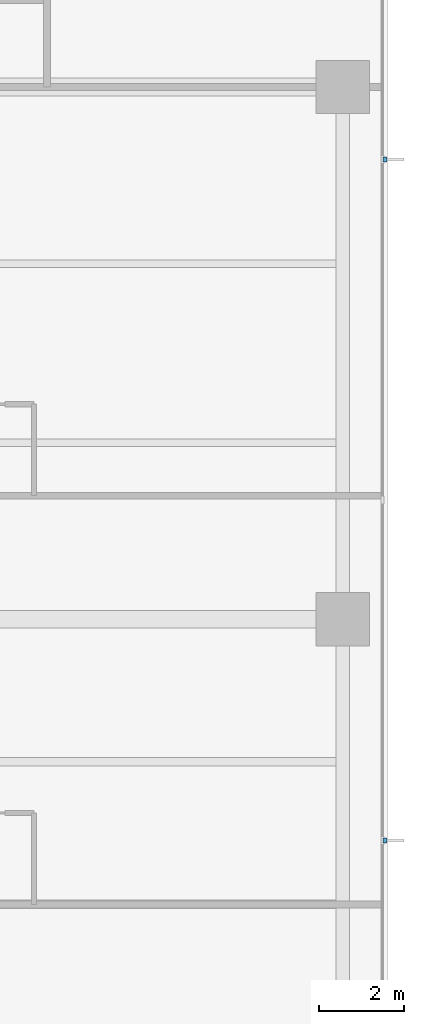
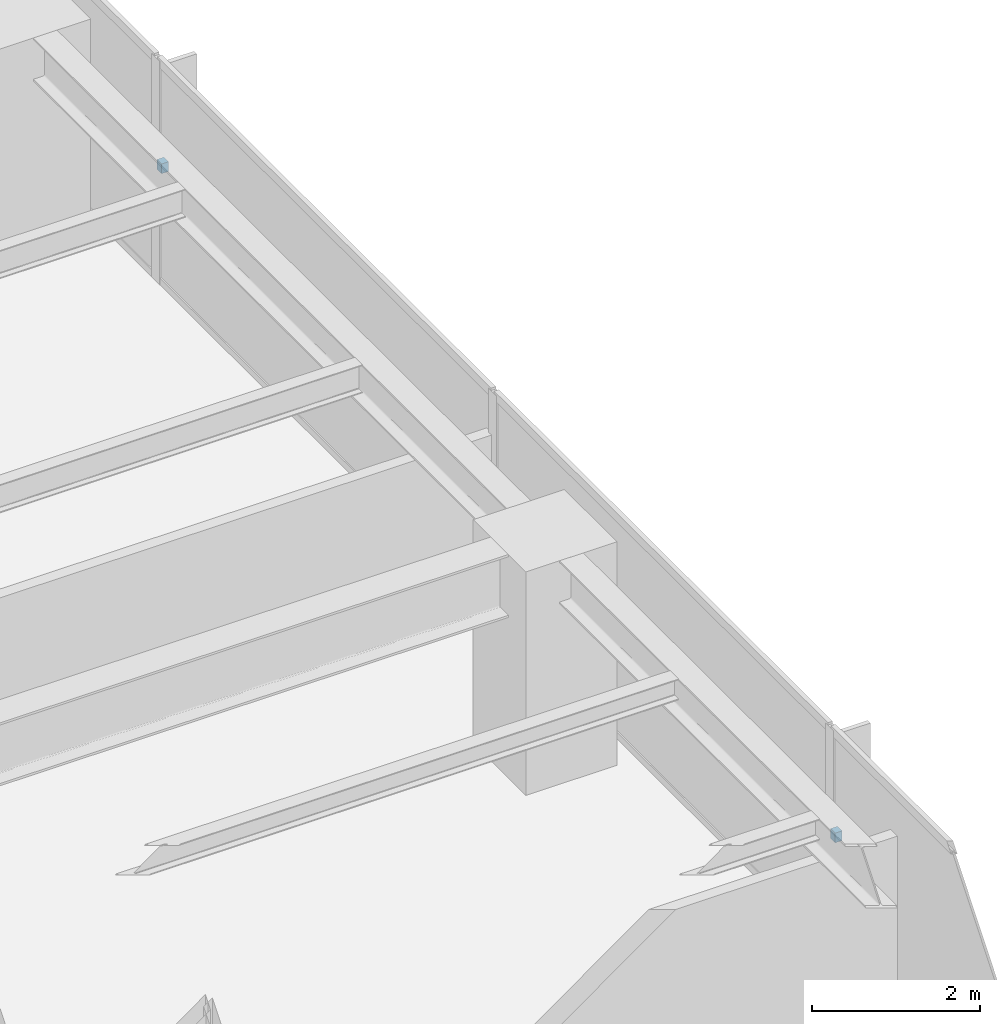
# One storey, part 14 of 17: 2 discrete accessories.
"""IFC4 building model written with IfcOpenShell, lengths in metres."""

from ifc_helpers import new_model, si_unit, direction, frame, origin, place, context, subcontext, project, spatial, polyline, outline, extrude, material, type_object, element, save


model = new_model("IFC4")

# Units and contexts
model_context = context("Model", 3, precision=1e-05, world=origin(), true_north=direction((0.0, 1.0)))
body_context = subcontext(model_context, "Body", "Model", "MODEL_VIEW")
ifc_project = project(units=[si_unit("LENGTHUNIT", "METRE"), si_unit("AREAUNIT", "SQUARE_METRE"), si_unit("VOLUMEUNIT", "CUBIC_METRE"), si_unit("PLANEANGLEUNIT", "RADIAN"), si_unit("MASSUNIT", "GRAM", prefix="KILO")], contexts=[model_context])

# Site, building, storey
site_placement = place(None, origin())
site = spatial("IfcSite", under=ifc_project, at=site_placement, CompositionType="ELEMENT")
building_placement = place(site_placement, origin())
building = spatial("IfcBuilding", under=site, at=building_placement, Name="Qalmaran Belvedere Hotel", CompositionType="ELEMENT")
storey_placement = place(building_placement, frame((0.0, 0.0, 98.699951171875)))
storey = spatial("IfcBuildingStorey", under=building, at=storey_placement, Name="L24", CompositionType="ELEMENT", Elevation=98.699951171875)

# Discrete accessories
ifc_material = material(Name="Stainless Steel 1.4401", Category="steel")
discrete_accessory_type = type_object("IfcDiscreteAccessoryType", Name="BRK-FIN-SS316", PredefinedType="BRACKET", material=ifc_material)
discrete_accessory_1_placement = place(storey_placement, frame((0.0, 0.0, 1.570068359375)))
element("IfcDiscreteAccessory", 1, at=discrete_accessory_1_placement, inside=storey, type_object=discrete_accessory_type, Name="L24 Fin Bracket 1", PredefinedType="BRACKET", context=body_context, shape_type="SweptSolid", body=[
    extrude(outline(polyline([(58.89501953125, 15.2451171875), (58.989990234375, 15.2451171875), (58.989990234375, 15.35498046875), (58.89501953125, 15.35498046875), (58.89501953125, 15.2451171875)])), origin(), (0.0, 0.0, 1.0), 0.139892578125),
])
discrete_accessory_2_placement = place(storey_placement, frame((0.0, 0.0, 1.570068359375)))
element("IfcDiscreteAccessory", 2, at=discrete_accessory_2_placement, inside=storey, type_object=discrete_accessory_type, Name="L24 Fin Bracket 3", PredefinedType="BRACKET", context=body_context, shape_type="SweptSolid", body=[
    extrude(outline(polyline([(58.89501953125, 31.2451171875), (58.989990234375, 31.2451171875), (58.989990234375, 31.35498046875), (58.89501953125, 31.35498046875), (58.89501953125, 31.2451171875)])), origin(), (0.0, 0.0, 1.0), 0.139892578125),
])

save(model, "model.ifc")
